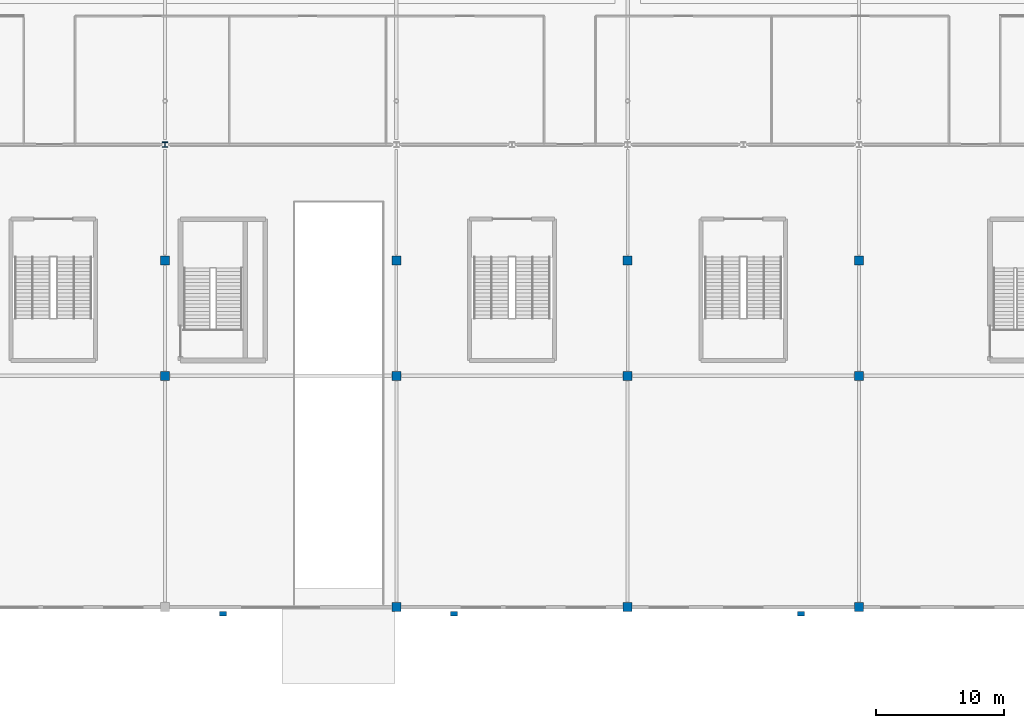
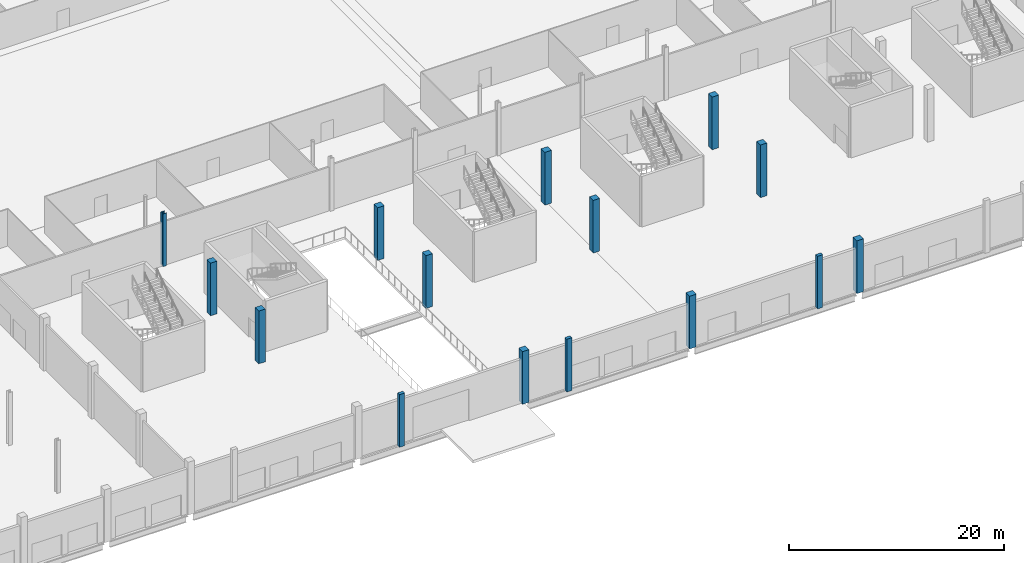
# One storey, part 3 of 84: 15 columns.
"""IFC4 building model written with IfcOpenShell, lengths in metres."""

from ifc_helpers import new_model, si_unit, direction, frame, origin, origin_2d, place, context, subcontext, project, spatial, rectangle, i_section, extrude, material, material_profile, profile_set, type_object, element, save


model = new_model("IFC4")

# Units and contexts
model_context = context("Model", 3, precision=1e-05, world=origin(), true_north=direction((0.0, 1.0)))
body_context = subcontext(model_context, "Body", "Model", "MODEL_VIEW")
ifc_project = project(units=[si_unit("LENGTHUNIT", "METRE"), si_unit("AREAUNIT", "SQUARE_METRE"), si_unit("VOLUMEUNIT", "CUBIC_METRE"), si_unit("PLANEANGLEUNIT", "RADIAN"), si_unit("MASSUNIT", "GRAM", prefix="KILO")], contexts=[model_context])

# Site, building, storey
site_placement = place(None, origin())
site = spatial("IfcSite", under=ifc_project, at=site_placement, CompositionType="ELEMENT")
building_placement = place(site_placement, origin())
building = spatial("IfcBuilding", under=site, at=building_placement, Name="Kisiwana Market Hall", CompositionType="ELEMENT")
storey_placement = place(building_placement, origin())
storey = spatial("IfcBuildingStorey", under=building, at=storey_placement, Name="L00", CompositionType="ELEMENT", Elevation=0.0)

# Columns
ifc_material_1 = material(Name="Concrete C40/50", Category="concrete")
ifc_material_profile_1 = material_profile(ifc_material_1, rectangle(XDim=0.699951171875, YDim=0.699951171875, at=origin_2d()), Name="RC 700x700")
ifc_profile_set_1 = profile_set([ifc_material_profile_1], Name="Concrete C40/50")
column_type_1 = type_object("IfcColumnType", Name="COL-RC-POD-700", PredefinedType="COLUMN", material=ifc_profile_set_1)
for number, where, z_axis, x_axis, name in (
    (1, (63.0, 18.0, 0.0), (0.0, 0.0, 1.0), (1.0, 0.0, 0.0), "Column C/8 (L00) C-0236"),
    (2, (63.0, 27.0, 0.0), (0.0, 0.0, 1.0), (1.0, 0.0, 0.0), "Column D/8 (L00) C-0237"),
    (3, (81.0, 0.0, 0.0), (0.0, 0.0, 1.0), (1.0, 0.0, 0.0), "Column A/10 (L00) C-0244"),
    (4, (81.0, 18.0, 0.0), (0.0, 0.0, 1.0), (1.0, 0.0, 0.0), "Column C/10 (L00) C-0245"),
    (5, (81.0, 27.0, 0.0), (0.0, 0.0, 1.0), (1.0, 0.0, 0.0), "Column D/10 (L00) C-0246"),
    (6, (99.0, 0.0, 0.0), (0.0, 0.0, 1.0), (1.0, 0.0, 0.0), "Column A/12 (L00) C-0255"),
    (7, (99.0, 18.0, 0.0), (0.0, 0.0, 1.0), (1.0, 0.0, 0.0), "Column C/12 (L00) C-0256"),
    (8, (99.0, 27.0, 0.0), (0.0, 0.0, 1.0), (1.0, 0.0, 0.0), "Column D/12 (L00) C-0257"),
    (9, (117.0, 0.0, 0.0), (0.0, 0.0, 1.0), (1.0, 0.0, 0.0), "Column A/14 (L00) C-0266"),
    (10, (117.0, 18.0, 0.0), (0.0, 0.0, 1.0), (1.0, 0.0, 0.0), "Column C/14 (L00) C-0267"),
    (11, (117.0, 27.0, 0.0), (0.0, 0.0, 1.0), (1.0, 0.0, 0.0), "Column D/14 (L00) C-0268"),
):
    element("IfcColumn", number, at=place(storey_placement, frame(where, z_axis=z_axis, x_axis=x_axis)), inside=storey, type_object=column_type_1, Name=name, PredefinedType="COLUMN", context=body_context, shape_type="SweptSolid", body=[
        extrude(rectangle(XDim=0.699951171875, YDim=0.699951171875, at=origin_2d()), origin(), (0.0, 0.0, 1.0), 6.0),
    ])
ifc_material_2 = material(Name="Steel S355", Category="steel")
ifc_material_profile_2 = material_profile(ifc_material_2, i_section(OverallWidth=0.412109375, OverallDepth=0.43505859375, WebThickness=0.035888671875, FlangeThickness=0.05810546875, at=origin_2d()), Name="HD 400x463")
ifc_profile_set_2 = profile_set([ifc_material_profile_2], Name="Steel S355")
column_type_2 = type_object("IfcColumnType", Name="COL-STL-HD463", PredefinedType="COLUMN", material=ifc_profile_set_2)
column_placement = place(storey_placement, frame((63.0, 36.0, 0.0), z_axis=(0.0, 0.0, 1.0), x_axis=(1.0, 0.0, 0.0)))
element("IfcColumn", 12, at=column_placement, inside=storey, type_object=column_type_2, Name="Column E/8 (L00) C-0238", PredefinedType="COLUMN", context=body_context, shape_type="SweptSolid", body=[
    extrude(i_section(OverallWidth=0.412109375, OverallDepth=0.43505859375, WebThickness=0.035888671875, FlangeThickness=0.05810546875, at=origin_2d()), origin(), (0.0, 0.0, 1.0), 6.0),
])
ifc_material_3 = material(Name="Concrete C40/50", Category="concrete")
ifc_material_profile_3 = material_profile(ifc_material_3, rectangle(XDim=0.550048828125, YDim=0.35009765625, at=origin_2d()), Name="PIL 550x350")
ifc_profile_set_3 = profile_set([ifc_material_profile_3], Name="Concrete C40/50")
column_type_3 = type_object("IfcColumnType", Name="PIL-CONC-550", PredefinedType="PILASTER", material=ifc_profile_set_3)
for number, where, z_axis, x_axis, name in (
    (13, (67.5, -0.5, 0.0), (0.0, 0.0, 1.0), (1.0, 0.0, 0.0), "Facade pilaster A/8 (L00) C-0345"),
    (14, (85.5, -0.5, 0.0), (0.0, 0.0, 1.0), (1.0, 0.0, 0.0), "Facade pilaster A/10 (L00) C-0346"),
    (15, (112.5, -0.5, 0.0), (0.0, 0.0, 1.0), (1.0, 0.0, 0.0), "Facade pilaster A/13 (L00) C-0347"),
):
    element("IfcColumn", number, at=place(storey_placement, frame(where, z_axis=z_axis, x_axis=x_axis)), inside=storey, type_object=column_type_3, Name=name, PredefinedType="PILASTER", context=body_context, shape_type="SweptSolid", body=[
        extrude(rectangle(XDim=0.550048828125, YDim=0.35009765625, at=origin_2d()), origin(), (0.0, 0.0, 1.0), 6.0),
    ])

save(model, "model.ifc")
